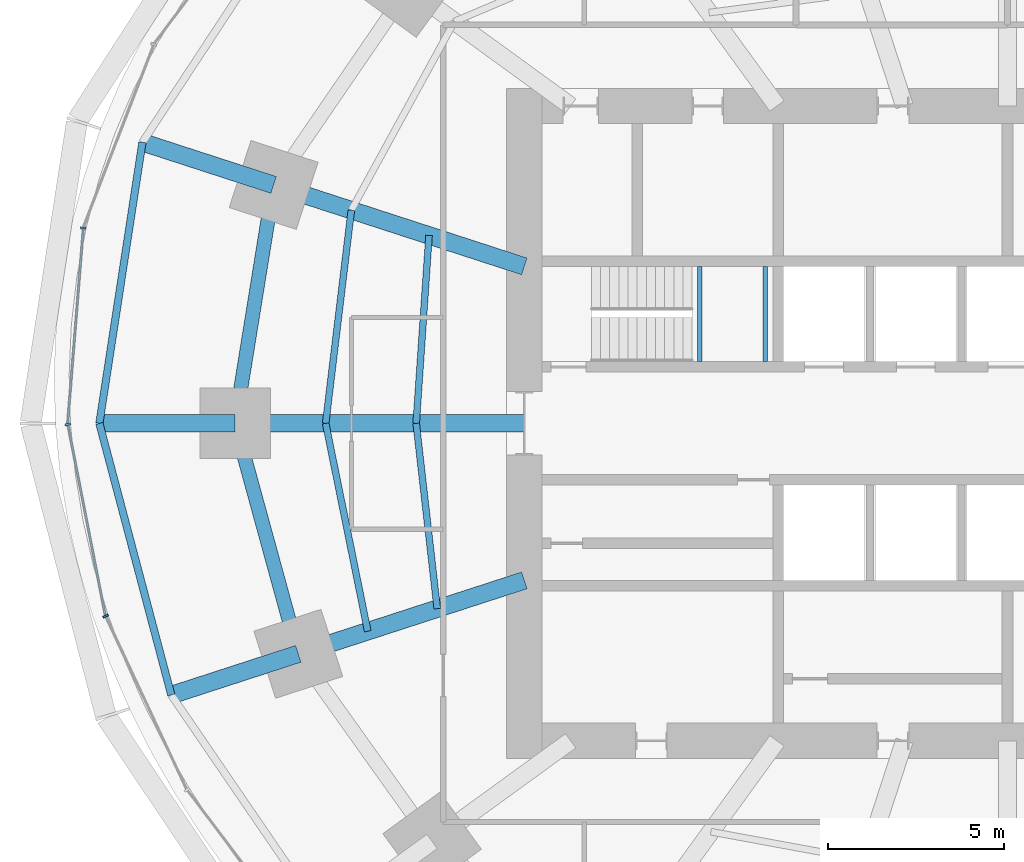
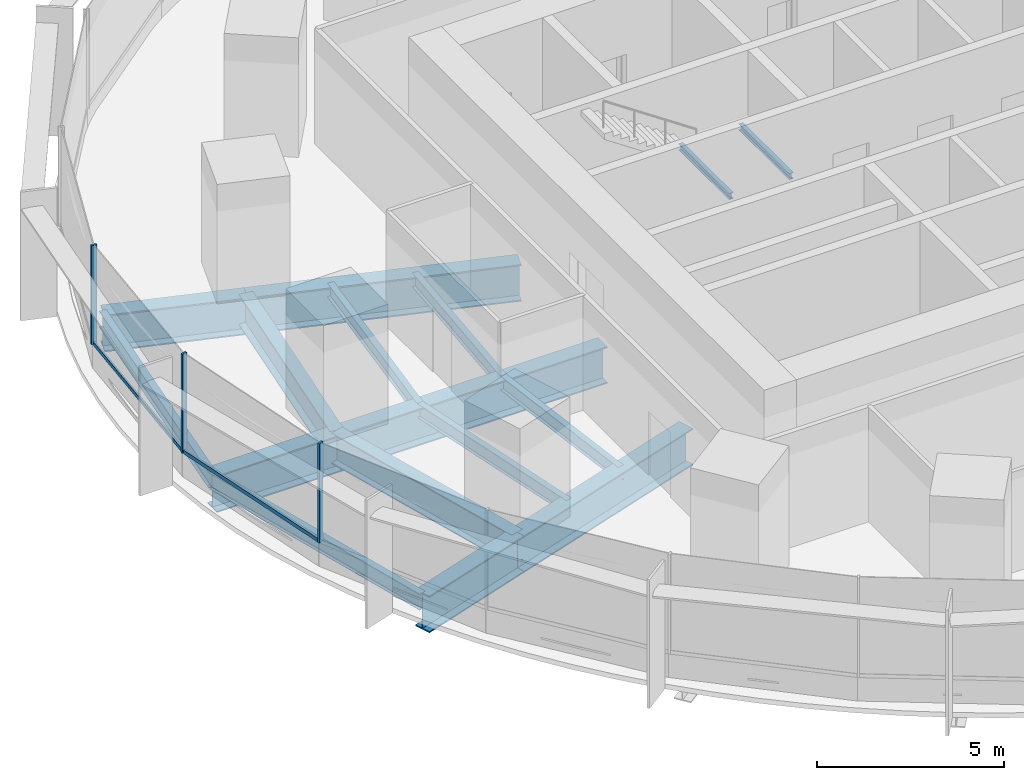
# One storey, part 4 of 15: 16 beams, 5 members, 2 elements without a shape of their own.
"""IFC4 building model written with IfcOpenShell, lengths in metres."""

import ifcopenshell
import ifcopenshell.guid

model = None  # the IFC model being written
_history = None  # IfcOwnerHistory: only IFC2X3 demands one
_inside = {}  # id of a spatial element -> (the spatial element, [elements in it])
_under = {}  # id of a project, library or spatial element -> (it, [spatial elements below it])
_declared = {}  # id of a project -> (the project, [libraries it declares])
_typed = {}  # id of a type object -> (the type object, [elements of that type])
_made_of = {}  # id of a material, layer set ... -> (it, [elements and type objects made of it])


def new_model(schema):
    """Start an empty IFC model of exactly this schema.

    Asked for "IFC4X3", IfcOpenShell would pick the latest addendum, in which some entities
    have other attributes; the version numbers below select the first issue.
    IFC2X3 requires an IfcOwnerHistory on every rooted entity: one is made here for all.
    """
    global model, _history
    if schema == "IFC4X3":
        model = ifcopenshell.file(schema_version=(4, 3, 0, 0))
    else:
        model = ifcopenshell.file(schema=schema)
    _inside.clear()
    _under.clear()
    _declared.clear()
    _typed.clear()
    _made_of.clear()
    _history = None
    if model.schema == "IFC2X3":
        org = make("IfcOrganization", Name="unknown")
        user = make(
            "IfcPersonAndOrganization",
            ThePerson=make("IfcPerson", FamilyName="unknown"),
            TheOrganization=org,
        )
        app = make(
            "IfcApplication",
            ApplicationDeveloper=org,
            Version="unknown",
            ApplicationFullName="unknown",
            ApplicationIdentifier="unknown",
        )
        _history = make(
            "IfcOwnerHistory",
            OwningUser=user,
            OwningApplication=app,
            ChangeAction="ADDED",
            CreationDate=0,
        )
    return model


def make(cls, **values):
    """One entity of the class cls with the attributes given. An attribute that is None is left unset."""
    return model.create_entity(
        cls, **{name: value for name, value in values.items() if value is not None}
    )


def rooted(cls, **values):
    """An entity with a GlobalId (a new one), such as an element, a storey or a relation."""
    return make(cls, GlobalId=ifcopenshell.guid.new(), OwnerHistory=_history, **values)


def si_unit(unit_type, name, prefix=None):
    """IfcSIUnit, for example si_unit("LENGTHUNIT", "METRE", prefix="MILLI")."""
    return make("IfcSIUnit", UnitType=unit_type, Prefix=prefix, Name=name)


def assignment(units):
    """IfcUnitAssignment: the units of a project."""
    return None if units is None else make("IfcUnitAssignment", Units=units)


def point(xyz):
    """IfcCartesianPoint."""
    return None if xyz is None else make("IfcCartesianPoint", Coordinates=xyz)


def direction(xyz):
    """IfcDirection."""
    return None if xyz is None else make("IfcDirection", DirectionRatios=xyz)


def frame(location, z_axis=None, x_axis=None):
    """IfcAxis2Placement3D, a coordinate frame: its origin and axes. An axis left out is left unset."""
    return make(
        "IfcAxis2Placement3D",
        Location=point(location),
        Axis=direction(z_axis),
        RefDirection=direction(x_axis),
    )


def frame_2d(location, x_axis=None):
    """IfcAxis2Placement2D, a coordinate frame in the plane: its origin and x axis."""
    return make(
        "IfcAxis2Placement2D", Location=point(location), RefDirection=direction(x_axis)
    )


def origin():
    """The frame at (0, 0, 0) with its axes left unset."""
    return frame((0.0, 0.0, 0.0))


def origin_2d():
    """The frame at (0, 0) in the plane with its x axis left unset."""
    return frame_2d((0.0, 0.0))


def place(relative_to, where):
    """IfcLocalPlacement: puts the frame where relative to a parent placement (None: the world)."""
    return make(
        "IfcLocalPlacement", PlacementRelTo=relative_to, RelativePlacement=where
    )


def context(
    kind, dimensions, precision=None, world=None, true_north=None, identifier=None
):
    """IfcGeometricRepresentationContext, for example the 3D "Model" context."""
    return make(
        "IfcGeometricRepresentationContext",
        ContextIdentifier=identifier,
        ContextType=kind,
        CoordinateSpaceDimension=dimensions,
        Precision=precision,
        WorldCoordinateSystem=world,
        TrueNorth=true_north,
    )


def subcontext(parent, identifier, kind, view, scale=None):
    """IfcGeometricRepresentationSubContext, for example "Body" below "Model"."""
    return make(
        "IfcGeometricRepresentationSubContext",
        ContextIdentifier=identifier,
        ContextType=kind,
        ParentContext=parent,
        TargetScale=scale,
        TargetView=view,
    )


def project(units=None, contexts=None):
    """IfcProject with its units and contexts."""
    return rooted(
        "IfcProject",
        Name="project",
        RepresentationContexts=contexts,
        UnitsInContext=assignment(units),
    )


def spatial(cls, under=None, at=None, **own):
    """A site, building, storey or space (cls), placed at a placement, below another one or the project."""
    s = rooted(cls, ObjectPlacement=at, **own)
    if under is not None:
        _under.setdefault(under.id(), (under, []))[1].append(s)
    return s


def profile(cls, at=None, kind="AREA", **sizes):
    """A parametric profile (cls). Its sizes go by their IFC names, for example OverallWidth=200.0."""
    return make(cls, ProfileType=kind, Position=at, **sizes)


def rectangle(**sizes):
    """IfcRectangleProfileDef."""
    return profile("IfcRectangleProfileDef", **sizes)


def i_section(**sizes):
    """IfcIShapeProfileDef."""
    return profile("IfcIShapeProfileDef", **sizes)


def extrude(swept, where, along, depth):
    """IfcExtrudedAreaSolid: the profile swept, set in the frame where, extruded along a direction by depth."""
    return make(
        "IfcExtrudedAreaSolid",
        SweptArea=swept,
        Position=where,
        ExtrudedDirection=direction(along),
        Depth=depth,
    )


def shape(context_of_items, identifier, shape_type, items):
    """IfcShapeRepresentation: the items that make up one representation, for example the "Body"."""
    return make(
        "IfcShapeRepresentation",
        ContextOfItems=context_of_items,
        RepresentationIdentifier=identifier,
        RepresentationType=shape_type,
        Items=items,
    )


def material(Name=None, Category=None):
    """IfcMaterial."""
    return make("IfcMaterial", Name=Name, Category=Category)


def material_profile(
    of_material, cross_section, Name=None, Category=None, Priority=None
):
    """IfcMaterialProfile: a cross section and its material."""
    return make(
        "IfcMaterialProfile",
        Name=Name,
        Material=of_material,
        Profile=cross_section,
        Priority=Priority,
        Category=Category,
    )


def profile_set(profiles, Name=None, composite=None):
    """IfcMaterialProfileSet."""
    return make(
        "IfcMaterialProfileSet",
        Name=Name,
        MaterialProfiles=profiles,
        CompositeProfile=composite,
    )


def made_of(thing, what):
    """Note that an element or type object is made of a material, layer set ...; save() writes the relation."""
    if what is not None:
        _made_of.setdefault(what.id(), (what, []))[1].append(thing)
    return thing


def type_object(cls, material=None, **own):
    """A type object (cls), such as IfcWallType, which elements share."""
    return made_of(rooted(cls, **own), material)


def element(
    cls,
    number,
    at=None,
    inside=None,
    cuts=None,
    type_object=None,
    material=None,
    context=None,
    identifier="Body",
    shape_type=None,
    held_by="IfcProductDefinitionShape",
    body=None,
    shapes=None,
    **own,
):
    """One element of the class cls, such as IfcWall. Its Tag is "e" and its number.

    at: its placement. inside: the storey or other place that contains it. cuts: it is an
    opening in that element (IfcRelVoidsElement). A single representation is given by context,
    identifier, shape_type and body (its items); several are given by shapes. held_by: the class
    of the entity that holds the representations. save() writes the other relations.
    """
    e = rooted(cls, Tag="e%d" % number, ObjectPlacement=at, **own)
    if body is not None:
        shapes = [shape(context, identifier, shape_type, body)]
    if shapes is not None:
        e.Representation = make(held_by, Representations=shapes)
    if inside is not None:
        _inside.setdefault(inside.id(), (inside, []))[1].append(e)
    if cuts is not None:
        rooted(
            "IfcRelVoidsElement", RelatingBuildingElement=cuts, RelatedOpeningElement=e
        )
    if type_object is not None:
        _typed.setdefault(type_object.id(), (type_object, []))[1].append(e)
    return made_of(e, material)


def aggregate(whole, parts):
    """IfcRelAggregates: a whole, such as a stair, and the parts it consists of."""
    return rooted("IfcRelAggregates", RelatingObject=whole, RelatedObjects=parts)


def save(model, path):
    """Write the relations noted so far, then the file.

    IfcRelAggregates (storeys below a building ...), IfcRelContainedInSpatialStructure (elements
    in a storey), IfcRelDefinesByType, IfcRelAssociatesMaterial and IfcRelDeclares: one each for
    every whole, place, type object, material and project.
    """
    for whole, parts in _under.values():
        aggregate(whole, parts)
    for where, things in _inside.values():
        rooted(
            "IfcRelContainedInSpatialStructure",
            RelatedElements=things,
            RelatingStructure=where,
        )
    for kind, things in _typed.values():
        rooted("IfcRelDefinesByType", RelatedObjects=things, RelatingType=kind)
    for what, things in _made_of.values():
        rooted("IfcRelAssociatesMaterial", RelatedObjects=things, RelatingMaterial=what)
    for by, libraries in _declared.values():
        rooted("IfcRelDeclares", RelatingContext=by, RelatedDefinitions=libraries)
    model.write(path)


model = new_model("IFC4")

# Units and contexts
model_context = context("Model", 3, precision=1e-05, world=origin(), true_north=direction((0.0, 1.0)))
body_context = subcontext(model_context, "Body", "Model", "MODEL_VIEW")
ifc_project = project(units=[si_unit("LENGTHUNIT", "METRE"), si_unit("AREAUNIT", "SQUARE_METRE"), si_unit("VOLUMEUNIT", "CUBIC_METRE"), si_unit("PLANEANGLEUNIT", "RADIAN"), si_unit("MASSUNIT", "GRAM", prefix="KILO")], contexts=[model_context])

# Site, building, storey
site_placement = place(None, origin())
site = spatial("IfcSite", under=ifc_project, at=site_placement, CompositionType="ELEMENT")
building_placement = place(site_placement, origin())
building = spatial("IfcBuilding", under=site, at=building_placement, Name="Marramba Exchange Tower", CompositionType="ELEMENT")
storey_placement = place(building_placement, frame((0.0, 0.0, 78.39990234375)))
storey = spatial("IfcBuildingStorey", under=building, at=storey_placement, Name="L18", CompositionType="ELEMENT", Elevation=78.39990234375)

# Beams
ifc_material_1 = material(Name="Steel AS/NZS 3679.2 grade 300", Category="steel")
ifc_material_profile_1 = material_profile(ifc_material_1, i_section(OverallWidth=0.5, OverallDepth=1.199951171875, WebThickness=0.01611328125, FlangeThickness=0.0400390625, at=origin_2d()), Name="1200WB455")
ifc_profile_set_1 = profile_set([ifc_material_profile_1], Name="Steel AS/NZS 3679.2 grade 300")
beam_type_1 = type_object("IfcBeamType", Name="Cantilever girder 1200WB455", PredefinedType="BEAM", material=ifc_profile_set_1)
beam_1_placement = place(storey_placement, frame((-20.808349609375, 6.760986328125, -0.760009765625), z_axis=(-0.951058833549, 0.309009862508, 0.0), x_axis=(-0.309009862508, -0.951058833549, 0.0)))
element("IfcBeam", 1, at=beam_1_placement, inside=storey, type_object=beam_type_1, Name="Cantilever girder L18 TC10", PredefinedType="BEAM", context=body_context, shape_type="SweptSolid", body=[
    extrude(i_section(OverallWidth=0.5, OverallDepth=1.199951171875, WebThickness=0.01611328125, FlangeThickness=0.0400390625, at=origin_2d()), origin(), (0.0, 0.0, 1.0), 3.91162109375),
])
beam_2_placement = place(storey_placement, frame((-21.89990234375, 0.0, -0.760009765625), z_axis=(-1.0, 0.0, 0.0), x_axis=(0.0, -1.0, 0.0)))
element("IfcBeam", 2, at=beam_2_placement, inside=storey, type_object=beam_type_1, Name="Cantilever girder L18 TC11", PredefinedType="BEAM", context=body_context, shape_type="SweptSolid", body=[
    extrude(i_section(OverallWidth=0.5, OverallDepth=1.199951171875, WebThickness=0.01611328125, FlangeThickness=0.0400390625, at=origin_2d()), origin(), (0.0, 0.0, 1.0), 3.85009765625),
])
beam_3_placement = place(storey_placement, frame((-20.109375, -6.533935546875, -0.760009765625), z_axis=(-0.951048759501, -0.309040866314, 0.0), x_axis=(0.309040866314, -0.951048759501, 0.0)))
element("IfcBeam", 3, at=beam_3_placement, inside=storey, type_object=beam_type_1, Name="Cantilever girder L18 TC12", PredefinedType="BEAM", context=body_context, shape_type="SweptSolid", body=[
    extrude(i_section(OverallWidth=0.5, OverallDepth=1.199951171875, WebThickness=0.01611328125, FlangeThickness=0.0400390625, at=origin_2d()), origin(), (0.0, 0.0, 1.0), 3.78564453125),
])
ifc_material_2 = material(Name="Steel AS/NZS 3679.1 grade 300", Category="steel")
ifc_material_profile_2 = material_profile(ifc_material_2, i_section(OverallWidth=0.18994140625, OverallDepth=0.4541015625, WebThickness=0.008544921875, FlangeThickness=0.0126953125, FilletRadius=0.011474609375, at=origin_2d()), Name="460UB67.1")
ifc_profile_set_2 = profile_set([ifc_material_profile_2], Name="Steel AS/NZS 3679.1 grade 300")
beam_type_2 = type_object("IfcBeamType", Name="Floor joist 460UB67.1", PredefinedType="JOIST", material=ifc_profile_set_2)
beam_4_placement = place(storey_placement, frame((-16.40283203125, 5.32958984375, -0.386962890625), z_axis=(-0.068096259546, -0.99767875563, 0.0), x_axis=(0.99767875563, -0.068096259546, 0.0)))
element("IfcBeam", 4, at=beam_4_placement, inside=storey, type_object=beam_type_2, Name="Joist L18 bay 10 row 1", PredefinedType="JOIST", context=body_context, shape_type="SweptSolid", body=[
    extrude(i_section(OverallWidth=0.18994140625, OverallDepth=0.4541015625, WebThickness=0.008544921875, FlangeThickness=0.0126953125, FilletRadius=0.011474609375, at=origin_2d()), origin(), (0.0, 0.0, 1.0), 5.342041015625),
])
beam_5_placement = place(storey_placement, frame((-18.60546875, 6.04541015625, -0.386962890625), z_axis=(-0.119523078538, -0.992831422597, 0.0), x_axis=(0.992831422597, -0.119523078538, 0.0)))
element("IfcBeam", 5, at=beam_5_placement, inside=storey, type_object=beam_type_2, Name="Joist L18 bay 10 row 2", PredefinedType="JOIST", context=body_context, shape_type="SweptSolid", body=[
    extrude(i_section(OverallWidth=0.18994140625, OverallDepth=0.4541015625, WebThickness=0.008544921875, FlangeThickness=0.0126953125, FilletRadius=0.011474609375, at=origin_2d()), origin(), (0.0, 0.0, 1.0), 6.089111328125),
])
beam_6_placement = place(storey_placement, frame((-16.7666015625, 0.0, -0.386962890625), z_axis=(0.112888968594, -0.993607609054, 0.0), x_axis=(0.993607609054, 0.112888968594, 0.0)))
element("IfcBeam", 6, at=beam_6_placement, inside=storey, type_object=beam_type_2, Name="Joist L18 bay 11 row 1", PredefinedType="JOIST", context=body_context, shape_type="SweptSolid", body=[
    extrude(i_section(OverallWidth=0.18994140625, OverallDepth=0.4541015625, WebThickness=0.008544921875, FlangeThickness=0.0126953125, FilletRadius=0.011474609375, at=origin_2d()), origin(), (0.0, 0.0, 1.0), 5.28759765625),
])
beam_7_placement = place(storey_placement, frame((-19.333251953125, 0.0, -0.386962890625), z_axis=(0.198489047047, -0.980103105904, 0.0), x_axis=(0.980103105904, 0.198489047047, 0.0)))
element("IfcBeam", 7, at=beam_7_placement, inside=storey, type_object=beam_type_2, Name="Joist L18 bay 11 row 2", PredefinedType="JOIST", context=body_context, shape_type="SweptSolid", body=[
    extrude(i_section(OverallWidth=0.18994140625, OverallDepth=0.4541015625, WebThickness=0.008544921875, FlangeThickness=0.0126953125, FilletRadius=0.011474609375, at=origin_2d()), origin(), (0.0, 0.0, 1.0), 6.013427734375),
])
ifc_material_profile_3 = material_profile(ifc_material_1, i_section(OverallWidth=0.5, OverallDepth=1.199951171875, WebThickness=0.01611328125, FlangeThickness=0.0400390625, at=origin_2d()), Name="1200WB455")
ifc_profile_set_3 = profile_set([ifc_material_profile_3], Name="Steel AS/NZS 3679.2 grade 300")
beam_type_3 = type_object("IfcBeamType", Name="Radial girder 1200WB455", PredefinedType="BEAM", material=ifc_profile_set_3)
beam_8_placement = place(storey_placement, frame((-13.699951171875, 4.451416015625, -0.760009765625), z_axis=(-0.951059990189, 0.309006302624, 0.0), x_axis=(-0.309006302624, -0.951059990189, 0.0)))
element("IfcBeam", 8, at=beam_8_placement, inside=storey, type_object=beam_type_3, Name="Radial girder L18 TC10", PredefinedType="BEAM", context=body_context, shape_type="SweptSolid", body=[
    extrude(i_section(OverallWidth=0.5, OverallDepth=1.199951171875, WebThickness=0.01611328125, FlangeThickness=0.0400390625, at=origin_2d()), origin(), (0.0, 0.0, 1.0), 7.47412109375),
])
beam_9_placement = place(storey_placement, frame((-13.699951171875, 0.0, -0.760009765625), z_axis=(-1.0, 0.0, 0.0), x_axis=(0.0, -1.0, 0.0)))
element("IfcBeam", 9, at=beam_9_placement, inside=storey, type_object=beam_type_3, Name="Radial girder L18 TC11", PredefinedType="BEAM", context=body_context, shape_type="SweptSolid", body=[
    extrude(i_section(OverallWidth=0.5, OverallDepth=1.199951171875, WebThickness=0.01611328125, FlangeThickness=0.0400390625, at=origin_2d()), origin(), (0.0, 0.0, 1.0), 8.199951171875),
])
beam_10_placement = place(storey_placement, frame((-13.699951171875, -4.451416015625, -0.760009765625), z_axis=(-0.951057759669, -0.309013167637, 0.0), x_axis=(0.309013167637, -0.951057759669, 0.0)))
element("IfcBeam", 10, at=beam_10_placement, inside=storey, type_object=beam_type_3, Name="Radial girder L18 TC12", PredefinedType="BEAM", context=body_context, shape_type="SweptSolid", body=[
    extrude(i_section(OverallWidth=0.5, OverallDepth=1.199951171875, WebThickness=0.01611328125, FlangeThickness=0.0400390625, at=origin_2d()), origin(), (0.0, 0.0, 1.0), 6.7392578125),
])
ifc_material_profile_4 = material_profile(ifc_material_1, i_section(OverallWidth=0.39990234375, OverallDepth=1.0, WebThickness=0.01611328125, FlangeThickness=0.031982421875, at=origin_2d()), Name="1000WB322")
ifc_profile_set_4 = profile_set([ifc_material_profile_4], Name="Steel AS/NZS 3679.2 grade 300")
beam_type_4 = type_object("IfcBeamType", Name="Ring beam 1000WB322", PredefinedType="SPANDREL", material=ifc_profile_set_4)
beam_11_placement = place(storey_placement, frame((-20.808349609375, 6.760986328125, -0.659912109375), z_axis=(-0.159384865399, -0.987216523708, 0.0), x_axis=(0.987216523708, -0.159384865399, 0.0)))
element("IfcBeam", 11, at=beam_11_placement, inside=storey, type_object=beam_type_4, Name="Ring beam L18 TC10-TC11", PredefinedType="SPANDREL", context=body_context, shape_type="SweptSolid", body=[
    extrude(i_section(OverallWidth=0.39990234375, OverallDepth=1.0, WebThickness=0.01611328125, FlangeThickness=0.031982421875, at=origin_2d()), origin(), (0.0, 0.0, 1.0), 6.8486328125),
])
beam_12_placement = place(storey_placement, frame((-21.89990234375, 0.0, -0.659912109375), z_axis=(0.264291166956, -0.964442937176, 0.0), x_axis=(0.964442937176, 0.264291166956, 0.0)))
element("IfcBeam", 12, at=beam_12_placement, inside=storey, type_object=beam_type_4, Name="Ring beam L18 TC11-TC12", PredefinedType="SPANDREL", context=body_context, shape_type="SweptSolid", body=[
    extrude(i_section(OverallWidth=0.39990234375, OverallDepth=1.0, WebThickness=0.01611328125, FlangeThickness=0.031982421875, at=origin_2d()), origin(), (0.0, 0.0, 1.0), 6.77490234375),
])
ifc_material_profile_5 = material_profile(ifc_material_2, i_section(OverallWidth=0.208984375, OverallDepth=0.528076171875, WebThickness=0.009521484375, FlangeThickness=0.01318359375, FilletRadius=0.013916015625, at=origin_2d()), Name="530UB82.0")
ifc_profile_set_5 = profile_set([ifc_material_profile_5], Name="Steel AS/NZS 3679.1 grade 300")
beam_type_5 = type_object("IfcBeamType", Name="Slab edge beam 530UB82.0", PredefinedType="SPANDREL", material=ifc_profile_set_5)
beam_13_placement = place(storey_placement, frame((-24.528564453125, 7.9697265625, -0.423828125), z_axis=(-0.151490591645, -0.988458699513, 0.0), x_axis=(0.988458699513, -0.151490591645, 0.0)))
element("IfcBeam", 13, at=beam_13_placement, inside=storey, type_object=beam_type_5, Name="Slab edge beam L18 TC10-TC11", PredefinedType="SPANDREL", context=body_context, shape_type="SweptSolid", body=[
    extrude(i_section(OverallWidth=0.208984375, OverallDepth=0.528076171875, WebThickness=0.009521484375, FlangeThickness=0.01318359375, FilletRadius=0.013916015625, at=origin_2d()), origin(), (0.0, 0.0, 1.0), 8.062744140625),
])
beam_14_placement = place(storey_placement, frame((-25.75, 0.0, -0.423828125), z_axis=(0.25601296674, -0.966673347549, 0.0), x_axis=(0.966673347549, 0.25601296674, 0.0)))
element("IfcBeam", 14, at=beam_14_placement, inside=storey, type_object=beam_type_5, Name="Slab edge beam L18 TC11-TC12", PredefinedType="SPANDREL", context=body_context, shape_type="SweptSolid", body=[
    extrude(i_section(OverallWidth=0.208984375, OverallDepth=0.528076171875, WebThickness=0.009521484375, FlangeThickness=0.01318359375, FilletRadius=0.013916015625, at=origin_2d()), origin(), (0.0, 0.0, 1.0), 7.969482421875),
])
ifc_material_profile_6 = material_profile(ifc_material_2, i_section(OverallWidth=0.133056640625, OverallDepth=0.202880859375, WebThickness=0.005859375, FlangeThickness=0.0078125, FilletRadius=0.0087890625, at=origin_2d()), Name="200UB25.4")
ifc_profile_set_6 = profile_set([ifc_material_profile_6], Name="Steel AS/NZS 3679.1 grade 300")
beam_type_6 = type_object("IfcBeamType", Name="Stair landing beam 200UB25.4", PredefinedType="BEAM", material=ifc_profile_set_6)
for number, where, z_axis, x_axis, name in (
    (15, (-8.723388671875, 1.75, 1.798583984375), (0.0, 1.0, 0.0), (-1.0, 0.0, 0.0), "Stair landing beam SLB1 ST1 L18 1"),
    (16, (-6.866455078125, 1.75, 1.798583984375), (0.0, 1.0, 0.0), (-1.0, 0.0, 0.0), "Stair landing beam SLB1 ST1 L18 2"),
):
    element("IfcBeam", number, at=place(storey_placement, frame(where, z_axis=z_axis, x_axis=x_axis)), inside=storey, type_object=beam_type_6, Name=name, PredefinedType="BEAM", context=body_context, shape_type="SweptSolid", body=[
        extrude(i_section(OverallWidth=0.133056640625, OverallDepth=0.202880859375, WebThickness=0.005859375, FlangeThickness=0.0078125, FilletRadius=0.0087890625, at=origin_2d()), origin(), (0.0, 0.0, 1.0), 2.699951171875),
    ])

# Curtain wall, member
ifc_material_3 = material(Name="Aluminium framing, bronze anodised", Category="aluminium")
curtain_wall_type = type_object("IfcCurtainWallType", Name="Trading floor ribbon curtain wall", PredefinedType="USERDEFINED", material=ifc_material_3)
curtain_wall_1_placement = place(storey_placement, origin())
curtain_wall_1 = element("IfcCurtainWall", 17, at=curtain_wall_1_placement, inside=storey, type_object=curtain_wall_type, Name="Curtain wall CW3 L18 F11-F15", ObjectType="RIBBON CURTAIN WALL", PredefinedType="USERDEFINED")
ifc_material_4 = material(Name="Aluminium mullion, bronze anodised", Category="aluminium")
ifc_material_profile_7 = material_profile(ifc_material_4, rectangle(XDim=0.159912109375, YDim=0.06005859375, at=origin_2d()), Name="CW3 mullion 60x160")
ifc_profile_set_7 = profile_set([ifc_material_profile_7], Name="Aluminium mullion, bronze anodised")
member_type_1 = type_object("IfcMemberType", Name="Trading floor ribbon curtain wall mullion", PredefinedType="MULLION", material=ifc_profile_set_7)
member_1_placement = place(storey_placement, frame((-26.203857421875, 5.539306640625, 0.800048828125), z_axis=(0.0, 0.0, 1.0), x_axis=(0.996772736434, -0.080275225953, 0.0)))
member_1 = element("IfcMember", 18, at=member_1_placement, type_object=member_type_1, Name="CW3 mullion 1", PredefinedType="MULLION", context=body_context, shape_type="SweptSolid", body=[
    extrude(rectangle(XDim=0.159912109375, YDim=0.06005859375, at=origin_2d()), origin(), (0.0, 0.0, 1.0), 3.239990234375),
])

# Curtain wall, members
curtain_wall_2_placement = place(storey_placement, origin())
curtain_wall_2 = element("IfcCurtainWall", 19, at=curtain_wall_2_placement, inside=storey, type_object=curtain_wall_type, Name="Curtain wall CW3 L18 F16-F20", ObjectType="RIBBON CURTAIN WALL", PredefinedType="USERDEFINED")
member_2_placement = place(storey_placement, frame((-26.644287109375, -0.029541015625, 0.800048828125), z_axis=(0.0, 0.0, 1.0), x_axis=(0.981346261612, 0.1922485756, 0.0)))
member_2 = element("IfcMember", 20, at=member_2_placement, type_object=member_type_1, Name="CW3 mullion 1", PredefinedType="MULLION", context=body_context, shape_type="SweptSolid", body=[
    extrude(rectangle(XDim=0.159912109375, YDim=0.06005859375, at=origin_2d()), origin(), (0.0, 0.0, 1.0), 3.239990234375),
])
member_3_placement = place(storey_placement, frame((-25.572021484375, -5.46533203125, 0.800048828125), z_axis=(0.0, 0.0, 1.0), x_axis=(0.905906758768, 0.423477206492, 0.0)))
member_3 = element("IfcMember", 21, at=member_3_placement, type_object=member_type_1, Name="CW3 mullion 1", PredefinedType="MULLION", context=body_context, shape_type="SweptSolid", body=[
    extrude(rectangle(XDim=0.159912109375, YDim=0.06005859375, at=origin_2d()), origin(), (0.0, 0.0, 1.0), 3.239990234375),
])

# Member
ifc_material_5 = material(Name="Aluminium transom, bronze anodised", Category="aluminium")
ifc_material_profile_8 = material_profile(ifc_material_5, rectangle(XDim=0.06005859375, YDim=0.1201171875, at=origin_2d()), Name="CW3 transom 60x120")
ifc_profile_set_8 = profile_set([ifc_material_profile_8], Name="Aluminium transom, bronze anodised")
member_type_2 = type_object("IfcMemberType", Name="Trading floor ribbon curtain wall transom", PredefinedType="USERDEFINED", material=ifc_profile_set_8)
member_4_placement = place(storey_placement, frame((-26.206298828125, 5.509521484375, 0.830078125), z_axis=(-0.080256075865, -0.996774278504, 0.0), x_axis=(0.996774278504, -0.080256075865, 0.0)))
member_4 = element("IfcMember", 22, at=member_4_placement, type_object=member_type_2, Name="CW3 sill transom", ObjectType="TRANSOM", PredefinedType="USERDEFINED", context=body_context, shape_type="SweptSolid", body=[
    extrude(rectangle(XDim=0.06005859375, YDim=0.1201171875, at=origin_2d()), origin(), (0.0, 0.0, 1.0), 5.52734375),
])

aggregate(curtain_wall_1, [member_1, member_4])

member_5_placement = place(storey_placement, frame((-26.638427734375, -0.058837890625, 0.830078125), z_axis=(0.192226081646, -0.981350667975, 0.0), x_axis=(0.981350667975, 0.192226081646, 0.0)))
member_5 = element("IfcMember", 23, at=member_5_placement, type_object=member_type_2, Name="CW3 sill transom", ObjectType="TRANSOM", PredefinedType="USERDEFINED", context=body_context, shape_type="SweptSolid", body=[
    extrude(rectangle(XDim=0.06005859375, YDim=0.1201171875, at=origin_2d()), origin(), (0.0, 0.0, 1.0), 5.481689453125),
])

aggregate(curtain_wall_2, [member_2, member_5, member_3])

save(model, "model.ifc")
